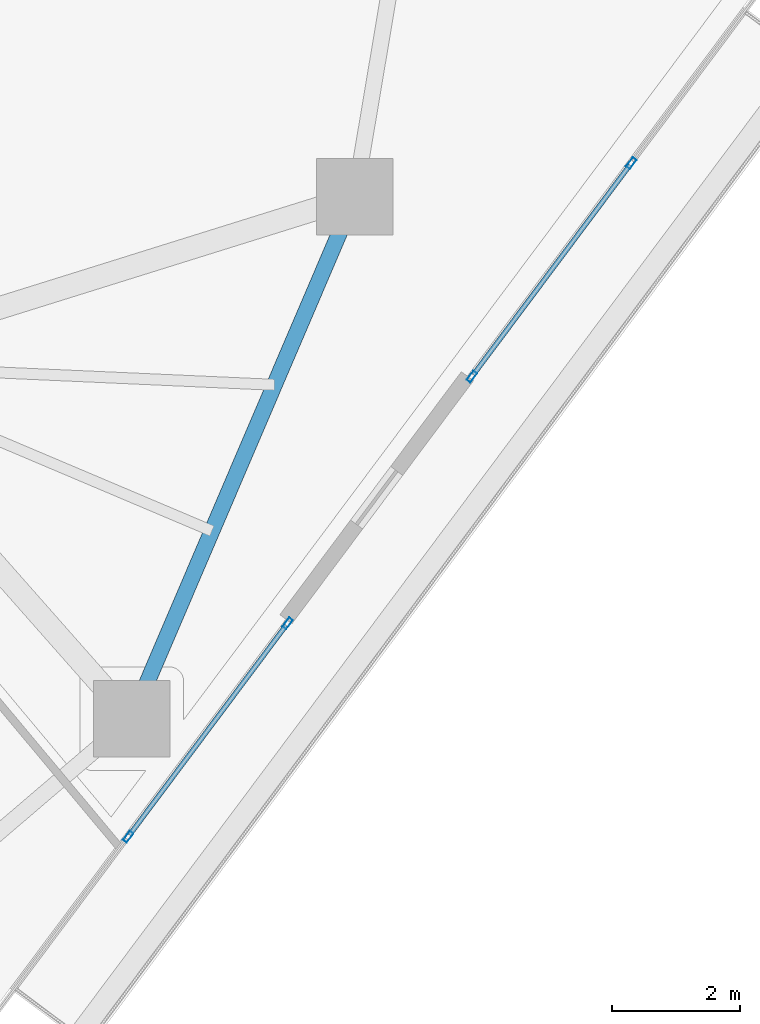
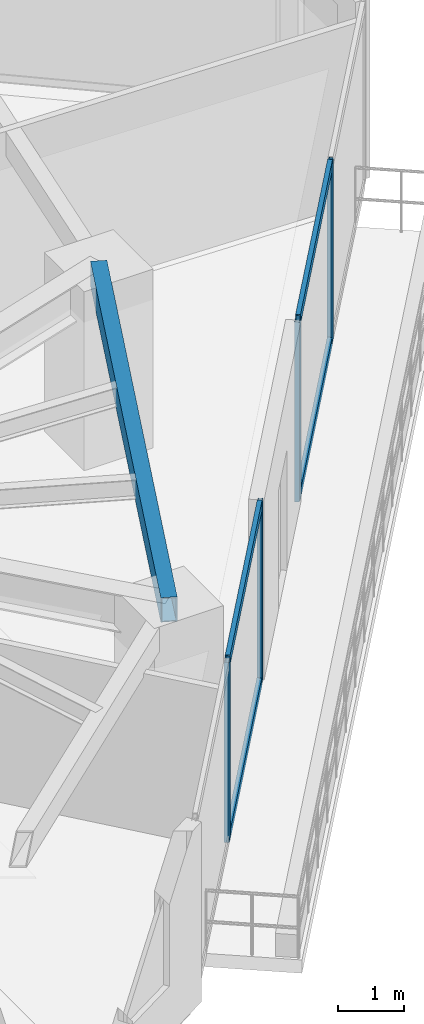
# One storey, part 11 of 23: 8 members, 1 beam, 2 elements without a shape of their own.
"""IFC4 building model written with IfcOpenShell, lengths in metres."""

from ifc_helpers import new_model, si_unit, direction, frame, origin, origin_2d, place, context, subcontext, project, spatial, hollow_rectangle, extrude, source, transform, mapped, material, layer, layer_set, material_profile, profile_set, type_object, type_shapes, element, aggregate, save


model = new_model("IFC4")

# Units and contexts
model_context = context("Model", 3, precision=1e-05, world=origin(), true_north=direction((0.0, 1.0)))
body_context = subcontext(model_context, "Body", "Model", "MODEL_VIEW")
ifc_project = project(units=[si_unit("LENGTHUNIT", "METRE"), si_unit("AREAUNIT", "SQUARE_METRE"), si_unit("VOLUMEUNIT", "CUBIC_METRE"), si_unit("PLANEANGLEUNIT", "RADIAN"), si_unit("MASSUNIT", "GRAM", prefix="KILO")], contexts=[model_context])

# Site, building, storey
site_placement = place(None, origin())
site = spatial("IfcSite", under=ifc_project, at=site_placement, CompositionType="ELEMENT")
building_placement = place(site_placement, origin())
building = spatial("IfcBuilding", under=site, at=building_placement, Name="Talar Marvaseh", CompositionType="ELEMENT")
storey_placement = place(building_placement, frame((0.0, 0.0, 118.199951171875)))
storey = spatial("IfcBuildingStorey", under=building, at=storey_placement, Name="L30", CompositionType="ELEMENT", Elevation=118.199951171875)

# Beam
ifc_material_1 = material(Name="Steel S355", Category="steel")
ifc_material_profile_1 = material_profile(ifc_material_1, hollow_rectangle(XDim=0.25, YDim=0.449951171875, WallThickness=0.01611328125, at=origin_2d()), Name="RHS450x250x16")
ifc_profile_set_1 = profile_set([ifc_material_profile_1], Name="Steel S355")
beam_type = type_object("IfcBeamType", Name="Zone 2 Perimeter Spandrel Beam RHS450x250x16", PredefinedType="SPANDREL", material=ifc_profile_set_1)
beam_placement = place(storey_placement, frame((41.708984375, 28.1279296875, 3.0849609375), z_axis=(-0.393369955619, -0.919380268451, 0.0), x_axis=(0.919380268451, -0.393369955619, 0.0)))
element("IfcBeam", 1, at=beam_placement, inside=storey, type_object=beam_type, Name="L30 Zone 2 Perimeter Spandrel Beam RHS450x250x16", PredefinedType="SPANDREL", context=body_context, shape_type="SweptSolid", body=[
    extrude(hollow_rectangle(XDim=0.25, YDim=0.449951171875, WallThickness=0.01611328125, at=origin_2d()), origin(), (0.0, 0.0, 1.0), 8.905029296875),
])

# Curtain wall, members
ifc_material_2 = material(Name="Architectural Aluminium", Category="aluminium")
ifc_layer = layer(ifc_material_2, 0.199951171875)
ifc_layer_set = layer_set([ifc_layer], Name="Architectural Aluminium")
curtain_wall_type = type_object("IfcCurtainWallType", Name="Unitised Acoustic Library Curtain Wall Z2", PredefinedType="NOTDEFINED", material=ifc_layer_set)
curtain_wall_1_placement = place(storey_placement, origin())
curtain_wall_1 = element("IfcCurtainWall", 2, at=curtain_wall_1_placement, inside=storey, type_object=curtain_wall_type, Name="L30 Unitised Acoustic Library Curtain Wall Z2", PredefinedType="NOTDEFINED")
ifc_material_profile_2 = material_profile(ifc_material_2, hollow_rectangle(XDim=0.074951171875, YDim=0.179931640625, WallThickness=0.0048828125, at=origin_2d()), Name="RHS180x75x5")
ifc_profile_set_2 = profile_set([ifc_material_profile_2], Name="Architectural Aluminium")
member_type_1 = type_object("IfcMemberType", Name="Unitised Curtain Wall Standard Mullion RHS180x75x5", PredefinedType="MULLION", material=ifc_profile_set_2)
shared_shape_1 = source(origin(), body_context, "Body", "SweptSolid", [
    extrude(hollow_rectangle(XDim=0.074951171875, YDim=0.179931640625, WallThickness=0.0048828125, at=origin_2d()), origin(), (0.0, 0.0, 1.0), 3.31005859375),
])
type_shapes(member_type_1, [shared_shape_1])
member_1_placement = place(storey_placement, frame((46.04443359375, 28.656494140625, 0.0), z_axis=(0.0, 0.0, 1.0), x_axis=(0.801158521176, -0.598452190193, 0.0)))
member_1 = element("IfcMember", 3, at=member_1_placement, type_object=member_type_1, Name="CW-Z2 mullion 2", PredefinedType="MULLION", context=body_context, shape_type="MappedRepresentation", body=[
    mapped(shared_shape_1, transform((0.0, 0.0, 0.0), x_axis=(1.0, 0.0, 0.0), y_axis=(0.0, 1.0, 0.0), z_axis=(0.0, 0.0, 1.0), scale=1.0)),
])
member_2_placement = place(storey_placement, frame((43.5439453125, 25.309326171875, 0.0), z_axis=(0.0, 0.0, 1.0), x_axis=(0.801158521176, -0.598452190193, 0.0)))
member_2 = element("IfcMember", 4, at=member_2_placement, type_object=member_type_1, Name="CW-Z2 mullion 3", PredefinedType="MULLION", context=body_context, shape_type="MappedRepresentation", body=[
    mapped(shared_shape_1, transform((0.0, 0.0, 0.0), x_axis=(1.0, 0.0, 0.0), y_axis=(0.0, 1.0, 0.0), z_axis=(0.0, 0.0, 1.0), scale=1.0)),
])

curtain_wall_2_placement = place(storey_placement, origin())
curtain_wall_2 = element("IfcCurtainWall", 5, at=curtain_wall_2_placement, inside=storey, type_object=curtain_wall_type, Name="L30 Unitised Acoustic Library Curtain Wall Z2", PredefinedType="NOTDEFINED")
member_3_placement = place(storey_placement, frame((40.653076171875, 21.43896484375, 0.0), z_axis=(0.0, 0.0, 1.0), x_axis=(0.801158521176, -0.598452190193, 0.0)))
member_3 = element("IfcMember", 6, at=member_3_placement, type_object=member_type_1, Name="CW-Z2 mullion 1", PredefinedType="MULLION", context=body_context, shape_type="MappedRepresentation", body=[
    mapped(shared_shape_1, transform((0.0, 0.0, 0.0), x_axis=(1.0, 0.0, 0.0), y_axis=(0.0, 1.0, 0.0), z_axis=(0.0, 0.0, 1.0), scale=1.0)),
])
member_4_placement = place(storey_placement, frame((38.15283203125, 18.091796875, 0.0), z_axis=(0.0, 0.0, 1.0), x_axis=(0.801158521176, -0.598452190193, 0.0)))
member_4 = element("IfcMember", 7, at=member_4_placement, type_object=member_type_1, Name="CW-Z2 mullion 2", PredefinedType="MULLION", context=body_context, shape_type="MappedRepresentation", body=[
    mapped(shared_shape_1, transform((0.0, 0.0, 0.0), x_axis=(1.0, 0.0, 0.0), y_axis=(0.0, 1.0, 0.0), z_axis=(0.0, 0.0, 1.0), scale=1.0)),
])

# Member
ifc_material_profile_3 = material_profile(ifc_material_2, hollow_rectangle(XDim=0.074951171875, YDim=0.179931640625, WallThickness=0.0048828125, at=origin_2d()), Name="RHS180x75x5")
ifc_profile_set_3 = profile_set([ifc_material_profile_3], Name="Architectural Aluminium")
member_type_2 = type_object("IfcMemberType", Name="Unitised Curtain Wall Transom RHS180x75x5", PredefinedType="USERDEFINED", material=ifc_profile_set_3)
shared_shape_2 = source(origin(), body_context, "Body", "SweptSolid", [
    extrude(hollow_rectangle(XDim=0.074951171875, YDim=0.179931640625, WallThickness=0.0048828125, at=origin_2d()), origin(), (0.0, 0.0, 1.0), 4.10302734375),
])
member_5_placement = place(storey_placement, frame((46.02197265625, 28.62646484375, 0.03759765625), z_axis=(-0.598475649606, -0.801140996847, 0.0), x_axis=(0.801140996847, -0.598475649606, 0.0)))
member_5 = element("IfcMember", 8, at=member_5_placement, type_object=member_type_2, Name="CW-Z2 transom 2.1", ObjectType="TRANSOM", PredefinedType="USERDEFINED", context=body_context, shape_type="MappedRepresentation", body=[
    mapped(shared_shape_2, transform((0.0, 0.0, 0.0), x_axis=(1.0, 0.0, 0.0), y_axis=(0.0, 1.0, 0.0), z_axis=(0.0, 0.0, 1.0), scale=1.0)),
])

member_6_placement = place(storey_placement, frame((46.02197265625, 28.62646484375, 3.2724609375), z_axis=(-0.598475649606, -0.801140996847, 0.0), x_axis=(0.801140996847, -0.598475649606, 0.0)))
member_6 = element("IfcMember", 9, at=member_6_placement, type_object=member_type_2, Name="CW-Z2 transom 2.2", ObjectType="TRANSOM", PredefinedType="USERDEFINED", context=body_context, shape_type="MappedRepresentation", body=[
    mapped(shared_shape_2, transform((0.0, 0.0, 0.0), x_axis=(1.0, 0.0, 0.0), y_axis=(0.0, 1.0, 0.0), z_axis=(0.0, 0.0, 1.0), scale=1.0)),
])

aggregate(curtain_wall_1, [member_1, member_2, member_5, member_6])

shared_shape_3 = source(origin(), body_context, "Body", "SweptSolid", [
    extrude(hollow_rectangle(XDim=0.074951171875, YDim=0.179931640625, WallThickness=0.0048828125, at=origin_2d()), origin(), (0.0, 0.0, 1.0), 4.102783203125),
])
type_shapes(member_type_2, [shared_shape_2, shared_shape_3])
member_7_placement = place(storey_placement, frame((40.630615234375, 21.408935546875, 0.03759765625), z_axis=(-0.598437457292, -0.801169526199, 0.0), x_axis=(0.801169526199, -0.598437457292, 0.0)))
member_7 = element("IfcMember", 10, at=member_7_placement, type_object=member_type_2, Name="CW-Z2 transom 1.1", ObjectType="TRANSOM", PredefinedType="USERDEFINED", context=body_context, shape_type="MappedRepresentation", body=[
    mapped(shared_shape_3, transform((0.0, 0.0, 0.0), x_axis=(1.0, 0.0, 0.0), y_axis=(0.0, 1.0, 0.0), z_axis=(0.0, 0.0, 1.0), scale=1.0)),
])

member_8_placement = place(storey_placement, frame((40.630615234375, 21.408935546875, 3.2724609375), z_axis=(-0.598437457292, -0.801169526199, 0.0), x_axis=(0.801169526199, -0.598437457292, 0.0)))
member_8 = element("IfcMember", 11, at=member_8_placement, type_object=member_type_2, Name="CW-Z2 transom 1.2", ObjectType="TRANSOM", PredefinedType="USERDEFINED", context=body_context, shape_type="MappedRepresentation", body=[
    mapped(shared_shape_3, transform((0.0, 0.0, 0.0), x_axis=(1.0, 0.0, 0.0), y_axis=(0.0, 1.0, 0.0), z_axis=(0.0, 0.0, 1.0), scale=1.0)),
])

aggregate(curtain_wall_2, [member_3, member_4, member_7, member_8])

save(model, "model.ifc")
